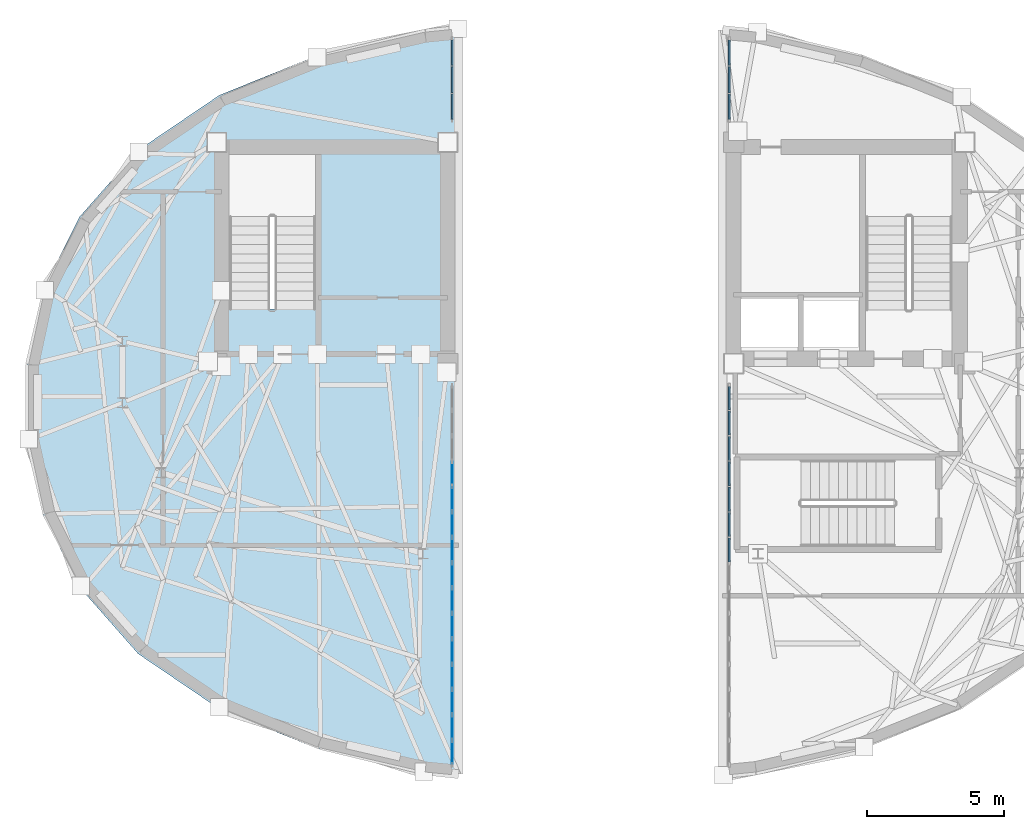
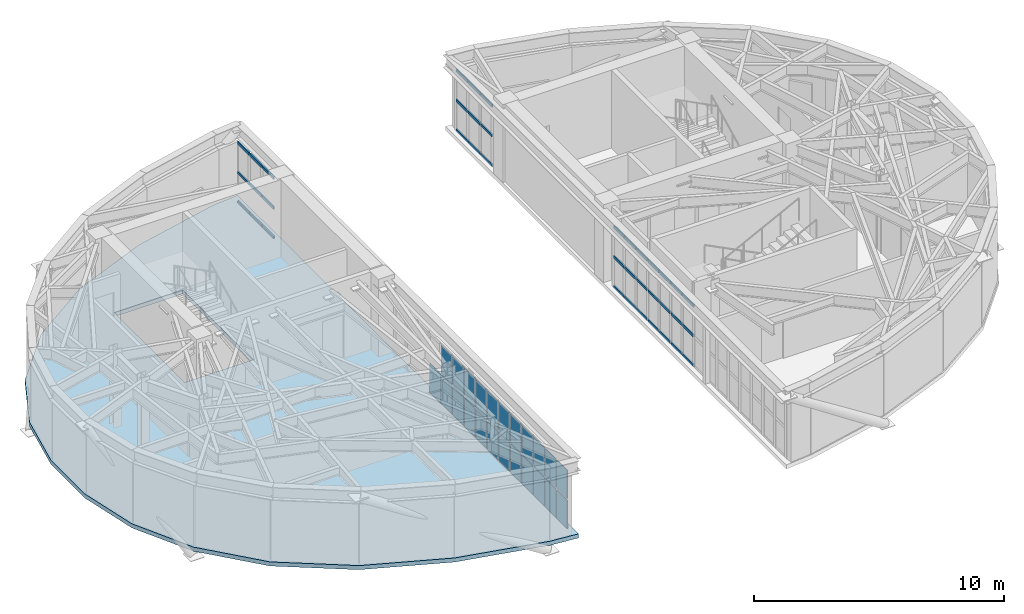
# One storey, part 7 of 13: 39 members, 23 plates, 1 slab, 4 elements without a shape of their own.
"""IFC4 building model written with IfcOpenShell, lengths in metres."""

from ifc_helpers import new_model, si_unit, direction, frame, origin, origin_2d, place, context, subcontext, project, spatial, polyline, rectangle, outline, extrude, material, layer, layer_set, material_profile, profile_set, type_object, element, aggregate, save


model = new_model("IFC4")

# Units and contexts
model_context = context("Model", 3, precision=1e-05, world=origin(), true_north=direction((0.0, 1.0)))
body_context = subcontext(model_context, "Body", "Model", "MODEL_VIEW")
ifc_project = project(units=[si_unit("LENGTHUNIT", "METRE"), si_unit("AREAUNIT", "SQUARE_METRE"), si_unit("VOLUMEUNIT", "CUBIC_METRE"), si_unit("PLANEANGLEUNIT", "RADIAN"), si_unit("MASSUNIT", "GRAM", prefix="KILO")], contexts=[model_context])

# Site, building, storey
site_placement = place(None, origin())
site = spatial("IfcSite", under=ifc_project, at=site_placement, CompositionType="ELEMENT")
building_placement = place(site_placement, origin())
building = spatial("IfcBuilding", under=site, at=building_placement, Name="Keldmark Tower", CompositionType="ELEMENT")
storey_placement = place(building_placement, frame((0.0, 0.0, 276.800048828125)))
storey = spatial("IfcBuildingStorey", under=building, at=storey_placement, Name="L78", CompositionType="ELEMENT", Elevation=276.800048828125)

# Curtain wall, members
ifc_material_1 = material(Name="Unitized Thermally Broken Aluminum and Triple Low-E Glazing", Category="aluminium")
ifc_layer_1 = layer(ifc_material_1, 0.219970703125)
ifc_layer_set_1 = layer_set([ifc_layer_1], Name="Unitized Thermally Broken Aluminum and Triple Low-E Glazing")
curtain_wall_type = type_object("IfcCurtainWallType", Name="Split-Top Crown Lantern Curtain Wall System", PredefinedType="NOTDEFINED", material=ifc_layer_set_1)
curtain_wall_1_placement = place(storey_placement, origin())
curtain_wall_1 = element("IfcCurtainWall", 1, at=curtain_wall_1_placement, inside=storey, type_object=curtain_wall_type, Name="L78 Split-Top Crown Lantern Curtain Wall System CW-L78-ES14-0", PredefinedType="NOTDEFINED")
ifc_material_2 = material(Name="Extruded Aluminum Alloy 6063-T6", Category="aluminium")
ifc_material_profile = material_profile(ifc_material_2, rectangle(XDim=0.06005859375, YDim=0.139892578125, at=origin_2d()), Name="CWT60X140")
ifc_profile_set = profile_set([ifc_material_profile], Name="Extruded Aluminum Alloy 6063-T6")
member_type = type_object("IfcMemberType", Name="Curtain Wall Horizontal Transom 60x140", PredefinedType="USERDEFINED", material=ifc_profile_set)
member_1_placement = place(storey_placement, frame((5.0400390625, 13.15869140625, 0.030029296875), z_axis=(0.0, -1.0, 0.0), x_axis=(1.0, 0.0, 0.0)))
member_1 = element("IfcMember", 2, at=member_1_placement, type_object=member_type, Name="CW transom 1.1", ObjectType="TRANSOM", PredefinedType="USERDEFINED", context=body_context, shape_type="SweptSolid", body=[
    extrude(rectangle(XDim=0.06005859375, YDim=0.139892578125, at=origin_2d()), origin(), (0.0, 0.0, 1.0), 0.90673828125),
])
member_2_placement = place(storey_placement, frame((5.0400390625, 13.15869140625, 1.48291015625), z_axis=(0.0, -1.0, 0.0), x_axis=(1.0, 0.0, 0.0)))
member_2 = element("IfcMember", 3, at=member_2_placement, type_object=member_type, Name="CW transom 1.2", ObjectType="TRANSOM", PredefinedType="USERDEFINED", context=body_context, shape_type="SweptSolid", body=[
    extrude(rectangle(XDim=0.06005859375, YDim=0.139892578125, at=origin_2d()), origin(), (0.0, 0.0, 1.0), 0.90673828125),
])
member_3_placement = place(storey_placement, frame((5.0400390625, 13.15869140625, 2.93603515625), z_axis=(0.0, -1.0, 0.0), x_axis=(1.0, 0.0, 0.0)))
member_3 = element("IfcMember", 4, at=member_3_placement, type_object=member_type, Name="CW transom 1.3", ObjectType="TRANSOM", PredefinedType="USERDEFINED", context=body_context, shape_type="SweptSolid", body=[
    extrude(rectangle(XDim=0.06005859375, YDim=0.139892578125, at=origin_2d()), origin(), (0.0, 0.0, 1.0), 0.90673828125),
])
member_4_placement = place(storey_placement, frame((5.0400390625, 12.19189453125, 0.030029296875), z_axis=(0.0, -1.0, 0.0), x_axis=(1.0, 0.0, 0.0)))
member_4 = element("IfcMember", 5, at=member_4_placement, type_object=member_type, Name="CW transom 2.1", ObjectType="TRANSOM", PredefinedType="USERDEFINED", context=body_context, shape_type="SweptSolid", body=[
    extrude(rectangle(XDim=0.06005859375, YDim=0.139892578125, at=origin_2d()), origin(), (0.0, 0.0, 1.0), 0.936767578125),
])
member_5_placement = place(storey_placement, frame((5.0400390625, 12.19189453125, 1.48291015625), z_axis=(0.0, -1.0, 0.0), x_axis=(1.0, 0.0, 0.0)))
member_5 = element("IfcMember", 6, at=member_5_placement, type_object=member_type, Name="CW transom 2.2", ObjectType="TRANSOM", PredefinedType="USERDEFINED", context=body_context, shape_type="SweptSolid", body=[
    extrude(rectangle(XDim=0.06005859375, YDim=0.139892578125, at=origin_2d()), origin(), (0.0, 0.0, 1.0), 0.936767578125),
])
member_6_placement = place(storey_placement, frame((5.0400390625, 12.19189453125, 2.93603515625), z_axis=(0.0, -1.0, 0.0), x_axis=(1.0, 0.0, 0.0)))
member_6 = element("IfcMember", 7, at=member_6_placement, type_object=member_type, Name="CW transom 2.3", ObjectType="TRANSOM", PredefinedType="USERDEFINED", context=body_context, shape_type="SweptSolid", body=[
    extrude(rectangle(XDim=0.06005859375, YDim=0.139892578125, at=origin_2d()), origin(), (0.0, 0.0, 1.0), 0.936767578125),
])
member_7_placement = place(storey_placement, frame((5.0400390625, 11.1953125, 0.030029296875), z_axis=(0.0, -1.0, 0.0), x_axis=(1.0, 0.0, 0.0)))
member_7 = element("IfcMember", 8, at=member_7_placement, type_object=member_type, Name="CW transom 3.1", ObjectType="TRANSOM", PredefinedType="USERDEFINED", context=body_context, shape_type="SweptSolid", body=[
    extrude(rectangle(XDim=0.06005859375, YDim=0.139892578125, at=origin_2d()), origin(), (0.0, 0.0, 1.0), 0.90673828125),
])
member_8_placement = place(storey_placement, frame((5.0400390625, 11.1953125, 1.48291015625), z_axis=(0.0, -1.0, 0.0), x_axis=(1.0, 0.0, 0.0)))
member_8 = element("IfcMember", 9, at=member_8_placement, type_object=member_type, Name="CW transom 3.2", ObjectType="TRANSOM", PredefinedType="USERDEFINED", context=body_context, shape_type="SweptSolid", body=[
    extrude(rectangle(XDim=0.06005859375, YDim=0.139892578125, at=origin_2d()), origin(), (0.0, 0.0, 1.0), 0.90673828125),
])
member_9_placement = place(storey_placement, frame((5.0400390625, 11.1953125, 2.93603515625), z_axis=(0.0, -1.0, 0.0), x_axis=(1.0, 0.0, 0.0)))
member_9 = element("IfcMember", 10, at=member_9_placement, type_object=member_type, Name="CW transom 3.3", ObjectType="TRANSOM", PredefinedType="USERDEFINED", context=body_context, shape_type="SweptSolid", body=[
    extrude(rectangle(XDim=0.06005859375, YDim=0.139892578125, at=origin_2d()), origin(), (0.0, 0.0, 1.0), 0.90673828125),
])
aggregate(curtain_wall_1, [member_1, member_2, member_3, member_4, member_5, member_6, member_7, member_8, member_9])

curtain_wall_2_placement = place(storey_placement, origin())
curtain_wall_2 = element("IfcCurtainWall", 11, at=curtain_wall_2_placement, inside=storey, type_object=curtain_wall_type, Name="L78 Split-Top Crown Lantern Curtain Wall System CW-L78-ES14-1", PredefinedType="NOTDEFINED")
member_10_placement = place(storey_placement, frame((5.0400390625, 0.5615234375, 0.030029296875), z_axis=(0.0, -1.0, 0.0), x_axis=(1.0, 0.0, 0.0)))
member_10 = element("IfcMember", 12, at=member_10_placement, type_object=member_type, Name="CW transom 1.1", ObjectType="TRANSOM", PredefinedType="USERDEFINED", context=body_context, shape_type="SweptSolid", body=[
    extrude(rectangle(XDim=0.06005859375, YDim=0.139892578125, at=origin_2d()), origin(), (0.0, 0.0, 1.0), 0.832763671875),
])
member_11_placement = place(storey_placement, frame((5.0400390625, 0.5615234375, 1.48291015625), z_axis=(0.0, -1.0, 0.0), x_axis=(1.0, 0.0, 0.0)))
member_11 = element("IfcMember", 13, at=member_11_placement, type_object=member_type, Name="CW transom 1.2", ObjectType="TRANSOM", PredefinedType="USERDEFINED", context=body_context, shape_type="SweptSolid", body=[
    extrude(rectangle(XDim=0.06005859375, YDim=0.139892578125, at=origin_2d()), origin(), (0.0, 0.0, 1.0), 0.832763671875),
])
member_12_placement = place(storey_placement, frame((5.0400390625, 0.5615234375, 2.93603515625), z_axis=(0.0, -1.0, 0.0), x_axis=(1.0, 0.0, 0.0)))
member_12 = element("IfcMember", 14, at=member_12_placement, type_object=member_type, Name="CW transom 1.3", ObjectType="TRANSOM", PredefinedType="USERDEFINED", context=body_context, shape_type="SweptSolid", body=[
    extrude(rectangle(XDim=0.06005859375, YDim=0.139892578125, at=origin_2d()), origin(), (0.0, 0.0, 1.0), 0.832763671875),
])
member_13_placement = place(storey_placement, frame((5.0400390625, -0.331298828125, 0.030029296875), z_axis=(0.0, -1.0, 0.0), x_axis=(1.0, 0.0, 0.0)))
member_13 = element("IfcMember", 15, at=member_13_placement, type_object=member_type, Name="CW transom 2.1", ObjectType="TRANSOM", PredefinedType="USERDEFINED", context=body_context, shape_type="SweptSolid", body=[
    extrude(rectangle(XDim=0.06005859375, YDim=0.139892578125, at=origin_2d()), origin(), (0.0, 0.0, 1.0), 0.862548828125),
])
member_14_placement = place(storey_placement, frame((5.0400390625, -0.331298828125, 1.48291015625), z_axis=(0.0, -1.0, 0.0), x_axis=(1.0, 0.0, 0.0)))
member_14 = element("IfcMember", 16, at=member_14_placement, type_object=member_type, Name="CW transom 2.2", ObjectType="TRANSOM", PredefinedType="USERDEFINED", context=body_context, shape_type="SweptSolid", body=[
    extrude(rectangle(XDim=0.06005859375, YDim=0.139892578125, at=origin_2d()), origin(), (0.0, 0.0, 1.0), 0.862548828125),
])
member_15_placement = place(storey_placement, frame((5.0400390625, -0.331298828125, 2.93603515625), z_axis=(0.0, -1.0, 0.0), x_axis=(1.0, 0.0, 0.0)))
member_15 = element("IfcMember", 17, at=member_15_placement, type_object=member_type, Name="CW transom 2.3", ObjectType="TRANSOM", PredefinedType="USERDEFINED", context=body_context, shape_type="SweptSolid", body=[
    extrude(rectangle(XDim=0.06005859375, YDim=0.139892578125, at=origin_2d()), origin(), (0.0, 0.0, 1.0), 0.862548828125),
])
member_16_placement = place(storey_placement, frame((5.0400390625, -1.25390625, 0.030029296875), z_axis=(0.0, -1.0, 0.0), x_axis=(1.0, 0.0, 0.0)))
member_16 = element("IfcMember", 18, at=member_16_placement, type_object=member_type, Name="CW transom 3.1", ObjectType="TRANSOM", PredefinedType="USERDEFINED", context=body_context, shape_type="SweptSolid", body=[
    extrude(rectangle(XDim=0.06005859375, YDim=0.139892578125, at=origin_2d()), origin(), (0.0, 0.0, 1.0), 0.862548828125),
])
member_17_placement = place(storey_placement, frame((5.0400390625, -1.25390625, 1.48291015625), z_axis=(0.0, -1.0, 0.0), x_axis=(1.0, 0.0, 0.0)))
member_17 = element("IfcMember", 19, at=member_17_placement, type_object=member_type, Name="CW transom 3.2", ObjectType="TRANSOM", PredefinedType="USERDEFINED", context=body_context, shape_type="SweptSolid", body=[
    extrude(rectangle(XDim=0.06005859375, YDim=0.139892578125, at=origin_2d()), origin(), (0.0, 0.0, 1.0), 0.862548828125),
])
member_18_placement = place(storey_placement, frame((5.0400390625, -1.25390625, 2.93603515625), z_axis=(0.0, -1.0, 0.0), x_axis=(1.0, 0.0, 0.0)))
member_18 = element("IfcMember", 20, at=member_18_placement, type_object=member_type, Name="CW transom 3.3", ObjectType="TRANSOM", PredefinedType="USERDEFINED", context=body_context, shape_type="SweptSolid", body=[
    extrude(rectangle(XDim=0.06005859375, YDim=0.139892578125, at=origin_2d()), origin(), (0.0, 0.0, 1.0), 0.862548828125),
])
member_19_placement = place(storey_placement, frame((5.0400390625, -2.176513671875, 0.030029296875), z_axis=(0.0, -1.0, 0.0), x_axis=(1.0, 0.0, 0.0)))
member_19 = element("IfcMember", 21, at=member_19_placement, type_object=member_type, Name="CW transom 4.1", ObjectType="TRANSOM", PredefinedType="USERDEFINED", context=body_context, shape_type="SweptSolid", body=[
    extrude(rectangle(XDim=0.06005859375, YDim=0.139892578125, at=origin_2d()), origin(), (0.0, 0.0, 1.0), 0.86279296875),
])
member_20_placement = place(storey_placement, frame((5.0400390625, -2.176513671875, 1.48291015625), z_axis=(0.0, -1.0, 0.0), x_axis=(1.0, 0.0, 0.0)))
member_20 = element("IfcMember", 22, at=member_20_placement, type_object=member_type, Name="CW transom 4.2", ObjectType="TRANSOM", PredefinedType="USERDEFINED", context=body_context, shape_type="SweptSolid", body=[
    extrude(rectangle(XDim=0.06005859375, YDim=0.139892578125, at=origin_2d()), origin(), (0.0, 0.0, 1.0), 0.86279296875),
])
member_21_placement = place(storey_placement, frame((5.0400390625, -2.176513671875, 2.93603515625), z_axis=(0.0, -1.0, 0.0), x_axis=(1.0, 0.0, 0.0)))
member_21 = element("IfcMember", 23, at=member_21_placement, type_object=member_type, Name="CW transom 4.3", ObjectType="TRANSOM", PredefinedType="USERDEFINED", context=body_context, shape_type="SweptSolid", body=[
    extrude(rectangle(XDim=0.06005859375, YDim=0.139892578125, at=origin_2d()), origin(), (0.0, 0.0, 1.0), 0.86279296875),
])
member_22_placement = place(storey_placement, frame((5.0400390625, -3.09912109375, 0.030029296875), z_axis=(0.0, -1.0, 0.0), x_axis=(1.0, 0.0, 0.0)))
member_22 = element("IfcMember", 24, at=member_22_placement, type_object=member_type, Name="CW transom 5.1", ObjectType="TRANSOM", PredefinedType="USERDEFINED", context=body_context, shape_type="SweptSolid", body=[
    extrude(rectangle(XDim=0.06005859375, YDim=0.139892578125, at=origin_2d()), origin(), (0.0, 0.0, 1.0), 0.86279296875),
])
member_23_placement = place(storey_placement, frame((5.0400390625, -3.09912109375, 1.48291015625), z_axis=(0.0, -1.0, 0.0), x_axis=(1.0, 0.0, 0.0)))
member_23 = element("IfcMember", 25, at=member_23_placement, type_object=member_type, Name="CW transom 5.2", ObjectType="TRANSOM", PredefinedType="USERDEFINED", context=body_context, shape_type="SweptSolid", body=[
    extrude(rectangle(XDim=0.06005859375, YDim=0.139892578125, at=origin_2d()), origin(), (0.0, 0.0, 1.0), 0.86279296875),
])
member_24_placement = place(storey_placement, frame((5.0400390625, -3.09912109375, 2.93603515625), z_axis=(0.0, -1.0, 0.0), x_axis=(1.0, 0.0, 0.0)))
member_24 = element("IfcMember", 26, at=member_24_placement, type_object=member_type, Name="CW transom 5.3", ObjectType="TRANSOM", PredefinedType="USERDEFINED", context=body_context, shape_type="SweptSolid", body=[
    extrude(rectangle(XDim=0.06005859375, YDim=0.139892578125, at=origin_2d()), origin(), (0.0, 0.0, 1.0), 0.86279296875),
])
member_25_placement = place(storey_placement, frame((5.0400390625, -4.02197265625, 0.030029296875), z_axis=(0.0, -1.0, 0.0), x_axis=(1.0, 0.0, 0.0)))
member_25 = element("IfcMember", 27, at=member_25_placement, type_object=member_type, Name="CW transom 6.1", ObjectType="TRANSOM", PredefinedType="USERDEFINED", context=body_context, shape_type="SweptSolid", body=[
    extrude(rectangle(XDim=0.06005859375, YDim=0.139892578125, at=origin_2d()), origin(), (0.0, 0.0, 1.0), 0.862548828125),
])
member_26_placement = place(storey_placement, frame((5.0400390625, -4.02197265625, 1.48291015625), z_axis=(0.0, -1.0, 0.0), x_axis=(1.0, 0.0, 0.0)))
member_26 = element("IfcMember", 28, at=member_26_placement, type_object=member_type, Name="CW transom 6.2", ObjectType="TRANSOM", PredefinedType="USERDEFINED", context=body_context, shape_type="SweptSolid", body=[
    extrude(rectangle(XDim=0.06005859375, YDim=0.139892578125, at=origin_2d()), origin(), (0.0, 0.0, 1.0), 0.862548828125),
])
member_27_placement = place(storey_placement, frame((5.0400390625, -4.02197265625, 2.93603515625), z_axis=(0.0, -1.0, 0.0), x_axis=(1.0, 0.0, 0.0)))
member_27 = element("IfcMember", 29, at=member_27_placement, type_object=member_type, Name="CW transom 6.3", ObjectType="TRANSOM", PredefinedType="USERDEFINED", context=body_context, shape_type="SweptSolid", body=[
    extrude(rectangle(XDim=0.06005859375, YDim=0.139892578125, at=origin_2d()), origin(), (0.0, 0.0, 1.0), 0.862548828125),
])
member_28_placement = place(storey_placement, frame((5.0400390625, -4.944580078125, 0.030029296875), z_axis=(0.0, -1.0, 0.0), x_axis=(1.0, 0.0, 0.0)))
member_28 = element("IfcMember", 30, at=member_28_placement, type_object=member_type, Name="CW transom 7.1", ObjectType="TRANSOM", PredefinedType="USERDEFINED", context=body_context, shape_type="SweptSolid", body=[
    extrude(rectangle(XDim=0.06005859375, YDim=0.139892578125, at=origin_2d()), origin(), (0.0, 0.0, 1.0), 0.86279296875),
])
member_29_placement = place(storey_placement, frame((5.0400390625, -4.944580078125, 1.48291015625), z_axis=(0.0, -1.0, 0.0), x_axis=(1.0, 0.0, 0.0)))
member_29 = element("IfcMember", 31, at=member_29_placement, type_object=member_type, Name="CW transom 7.2", ObjectType="TRANSOM", PredefinedType="USERDEFINED", context=body_context, shape_type="SweptSolid", body=[
    extrude(rectangle(XDim=0.06005859375, YDim=0.139892578125, at=origin_2d()), origin(), (0.0, 0.0, 1.0), 0.86279296875),
])
member_30_placement = place(storey_placement, frame((5.0400390625, -4.944580078125, 2.93603515625), z_axis=(0.0, -1.0, 0.0), x_axis=(1.0, 0.0, 0.0)))
member_30 = element("IfcMember", 32, at=member_30_placement, type_object=member_type, Name="CW transom 7.3", ObjectType="TRANSOM", PredefinedType="USERDEFINED", context=body_context, shape_type="SweptSolid", body=[
    extrude(rectangle(XDim=0.06005859375, YDim=0.139892578125, at=origin_2d()), origin(), (0.0, 0.0, 1.0), 0.86279296875),
])
aggregate(curtain_wall_2, [member_10, member_11, member_12, member_13, member_14, member_15, member_16, member_17, member_18, member_19, member_20, member_21, member_22, member_23, member_24, member_25, member_26, member_27, member_28, member_29, member_30])

curtain_wall_3_placement = place(storey_placement, origin())
curtain_wall_3 = element("IfcCurtainWall", 33, at=curtain_wall_3_placement, inside=storey, type_object=curtain_wall_type, Name="L78 Split-Top Crown Lantern Curtain Wall System CW-L78-WS14-1", PredefinedType="NOTDEFINED")
member_31_placement = place(storey_placement, frame((-5.0400390625, 10.28857421875, 0.030029296875), z_axis=(0.0, 1.0, 0.0), x_axis=(-1.0, 0.0, 0.0)))
member_31 = element("IfcMember", 34, at=member_31_placement, type_object=member_type, Name="CW transom 1.1", ObjectType="TRANSOM", PredefinedType="USERDEFINED", context=body_context, shape_type="SweptSolid", body=[
    extrude(rectangle(XDim=0.06005859375, YDim=0.139892578125, at=origin_2d()), origin(), (0.0, 0.0, 1.0), 0.90673828125),
])
member_32_placement = place(storey_placement, frame((-5.0400390625, 10.28857421875, 1.48291015625), z_axis=(0.0, 1.0, 0.0), x_axis=(-1.0, 0.0, 0.0)))
member_32 = element("IfcMember", 35, at=member_32_placement, type_object=member_type, Name="CW transom 1.2", ObjectType="TRANSOM", PredefinedType="USERDEFINED", context=body_context, shape_type="SweptSolid", body=[
    extrude(rectangle(XDim=0.06005859375, YDim=0.139892578125, at=origin_2d()), origin(), (0.0, 0.0, 1.0), 0.90673828125),
])
member_33_placement = place(storey_placement, frame((-5.0400390625, 10.28857421875, 2.93603515625), z_axis=(0.0, 1.0, 0.0), x_axis=(-1.0, 0.0, 0.0)))
member_33 = element("IfcMember", 36, at=member_33_placement, type_object=member_type, Name="CW transom 1.3", ObjectType="TRANSOM", PredefinedType="USERDEFINED", context=body_context, shape_type="SweptSolid", body=[
    extrude(rectangle(XDim=0.06005859375, YDim=0.139892578125, at=origin_2d()), origin(), (0.0, 0.0, 1.0), 0.90673828125),
])
member_34_placement = place(storey_placement, frame((-5.0400390625, 11.255126953125, 0.030029296875), z_axis=(0.0, 1.0, 0.0), x_axis=(-1.0, 0.0, 0.0)))
member_34 = element("IfcMember", 37, at=member_34_placement, type_object=member_type, Name="CW transom 2.1", ObjectType="TRANSOM", PredefinedType="USERDEFINED", context=body_context, shape_type="SweptSolid", body=[
    extrude(rectangle(XDim=0.06005859375, YDim=0.139892578125, at=origin_2d()), origin(), (0.0, 0.0, 1.0), 0.936767578125),
])
member_35_placement = place(storey_placement, frame((-5.0400390625, 11.255126953125, 1.48291015625), z_axis=(0.0, 1.0, 0.0), x_axis=(-1.0, 0.0, 0.0)))
member_35 = element("IfcMember", 38, at=member_35_placement, type_object=member_type, Name="CW transom 2.2", ObjectType="TRANSOM", PredefinedType="USERDEFINED", context=body_context, shape_type="SweptSolid", body=[
    extrude(rectangle(XDim=0.06005859375, YDim=0.139892578125, at=origin_2d()), origin(), (0.0, 0.0, 1.0), 0.936767578125),
])
member_36_placement = place(storey_placement, frame((-5.0400390625, 11.255126953125, 2.93603515625), z_axis=(0.0, 1.0, 0.0), x_axis=(-1.0, 0.0, 0.0)))
member_36 = element("IfcMember", 39, at=member_36_placement, type_object=member_type, Name="CW transom 2.3", ObjectType="TRANSOM", PredefinedType="USERDEFINED", context=body_context, shape_type="SweptSolid", body=[
    extrude(rectangle(XDim=0.06005859375, YDim=0.139892578125, at=origin_2d()), origin(), (0.0, 0.0, 1.0), 0.936767578125),
])
member_37_placement = place(storey_placement, frame((-5.0400390625, 12.251953125, 0.030029296875), z_axis=(0.0, 1.0, 0.0), x_axis=(-1.0, 0.0, 0.0)))
member_37 = element("IfcMember", 40, at=member_37_placement, type_object=member_type, Name="CW transom 3.1", ObjectType="TRANSOM", PredefinedType="USERDEFINED", context=body_context, shape_type="SweptSolid", body=[
    extrude(rectangle(XDim=0.06005859375, YDim=0.139892578125, at=origin_2d()), origin(), (0.0, 0.0, 1.0), 0.90673828125),
])
member_38_placement = place(storey_placement, frame((-5.0400390625, 12.251953125, 1.48291015625), z_axis=(0.0, 1.0, 0.0), x_axis=(-1.0, 0.0, 0.0)))
member_38 = element("IfcMember", 41, at=member_38_placement, type_object=member_type, Name="CW transom 3.2", ObjectType="TRANSOM", PredefinedType="USERDEFINED", context=body_context, shape_type="SweptSolid", body=[
    extrude(rectangle(XDim=0.06005859375, YDim=0.139892578125, at=origin_2d()), origin(), (0.0, 0.0, 1.0), 0.90673828125),
])
member_39_placement = place(storey_placement, frame((-5.0400390625, 12.251953125, 2.93603515625), z_axis=(0.0, 1.0, 0.0), x_axis=(-1.0, 0.0, 0.0)))
member_39 = element("IfcMember", 42, at=member_39_placement, type_object=member_type, Name="CW transom 3.3", ObjectType="TRANSOM", PredefinedType="USERDEFINED", context=body_context, shape_type="SweptSolid", body=[
    extrude(rectangle(XDim=0.06005859375, YDim=0.139892578125, at=origin_2d()), origin(), (0.0, 0.0, 1.0), 0.90673828125),
])
aggregate(curtain_wall_3, [member_31, member_32, member_33, member_34, member_35, member_36, member_37, member_38, member_39])

# Slab
ifc_material_3 = material(Name="Concrete C35/45", Category="concrete")
ifc_layer_2 = layer(ifc_material_3, 0.199951171875)
ifc_layer_set_2 = layer_set([ifc_layer_2], Name="Concrete C35/45")
slab_type = type_object("IfcSlabType", Name="Low-Rise Office Composite Slab 200 mm", PredefinedType="FLOOR", material=ifc_layer_set_2)
slab_placement = place(storey_placement, frame((0.0, 0.0, -0.199951171875)))
element("IfcSlab", 43, at=slab_placement, inside=storey, type_object=slab_type, Name="L78 West Crown Plant Floor Slab", PredefinedType="FLOOR", context=body_context, shape_type="SweptSolid", body=[
    extrude(outline(polyline([(-6.03759765625, -13.501220703125), (-9.931396484375, -12.603759765625), (-13.498779296875, -11.15771484375), (-16.448486328125, -9.156982421875), (-18.580078125, -6.73681640625), (-19.9033203125, -4.095703125), (-20.489013671875, -1.368896484375), (-20.489013671875, 1.368896484375), (-19.9033203125, 4.095703125), (-18.580078125, 6.73681640625), (-16.448486328125, 9.156982421875), (-13.498779296875, 11.15771484375), (-9.931396484375, 12.603759765625), (-6.03759765625, 13.501220703125), (-4.800048828125, 13.62353515625), (-4.800048828125, -13.62353515625), (-6.03759765625, -13.501220703125)]), holes=[polyline([(-10.0, 3.385009765625), (-10.0, 9.0), (-13.14990234375, 9.0), (-13.14990234375, 3.385009765625), (-10.0, 3.385009765625)])]), origin(), (0.0, 0.0, 1.0), 0.199951171875),
])

# Curtain wall, plates
curtain_wall_4_placement = place(storey_placement, origin())
curtain_wall_4 = element("IfcCurtainWall", 44, at=curtain_wall_4_placement, inside=storey, type_object=curtain_wall_type, Name="L78 Split-Top Crown Lantern Curtain Wall System CW-L78-WS14-0", PredefinedType="NOTDEFINED")
ifc_material_4 = material(Name="Triple Silver Low-E Insulated Glass Unit", Category="glass")
ifc_layer_3 = layer(ifc_material_4, 0.035888671875)
ifc_layer_set_3 = layer_set([ifc_layer_3], Name="Triple Silver Low-E Insulated Glass Unit")
plate_type = type_object("IfcPlateType", Name="Triple Low-E Vision Glazing Panel 36 mm", PredefinedType="CURTAIN_PANEL", material=ifc_layer_set_3)
plate_1_placement = place(storey_placement, frame((-5.0400390625, -12.742431640625, 0.059814453125), z_axis=(0.0, 0.0, 1.0), x_axis=(0.0, 1.0, 0.0)))
plate_1 = element("IfcPlate", 45, at=plate_1_placement, type_object=plate_type, Name="CW panel 1.1", PredefinedType="CURTAIN_PANEL", context=body_context, shape_type="SweptSolid", body=[
    extrude(rectangle(XDim=0.832763671875, YDim=0.035888671875, at=origin_2d()), origin(), (0.0, 0.0, 1.0), 1.39306640625),
])
plate_2_placement = place(storey_placement, frame((-5.0400390625, -12.742431640625, 1.512939453125), z_axis=(0.0, 0.0, 1.0), x_axis=(0.0, 1.0, 0.0)))
plate_2 = element("IfcPlate", 46, at=plate_2_placement, type_object=plate_type, Name="CW panel 1.2", PredefinedType="CURTAIN_PANEL", context=body_context, shape_type="SweptSolid", body=[
    extrude(rectangle(XDim=0.832763671875, YDim=0.035888671875, at=origin_2d()), origin(), (0.0, 0.0, 1.0), 1.39306640625),
])
plate_3_placement = place(storey_placement, frame((-5.0400390625, -11.834716796875, 0.059814453125), z_axis=(0.0, 0.0, 1.0), x_axis=(0.0, 1.0, 0.0)))
plate_3 = element("IfcPlate", 47, at=plate_3_placement, type_object=plate_type, Name="CW panel 2.1", PredefinedType="CURTAIN_PANEL", context=body_context, shape_type="SweptSolid", body=[
    extrude(rectangle(XDim=0.86279296875, YDim=0.035888671875, at=origin_2d()), origin(), (0.0, 0.0, 1.0), 1.39306640625),
])
plate_4_placement = place(storey_placement, frame((-5.0400390625, -11.834716796875, 1.512939453125), z_axis=(0.0, 0.0, 1.0), x_axis=(0.0, 1.0, 0.0)))
plate_4 = element("IfcPlate", 48, at=plate_4_placement, type_object=plate_type, Name="CW panel 2.2", PredefinedType="CURTAIN_PANEL", context=body_context, shape_type="SweptSolid", body=[
    extrude(rectangle(XDim=0.86279296875, YDim=0.035888671875, at=origin_2d()), origin(), (0.0, 0.0, 1.0), 1.39306640625),
])
plate_5_placement = place(storey_placement, frame((-5.0400390625, -10.912109375, 0.059814453125), z_axis=(0.0, 0.0, 1.0), x_axis=(0.0, 1.0, 0.0)))
plate_5 = element("IfcPlate", 49, at=plate_5_placement, type_object=plate_type, Name="CW panel 3.1", PredefinedType="CURTAIN_PANEL", context=body_context, shape_type="SweptSolid", body=[
    extrude(rectangle(XDim=0.86279296875, YDim=0.035888671875, at=origin_2d()), origin(), (0.0, 0.0, 1.0), 1.39306640625),
])
plate_6_placement = place(storey_placement, frame((-5.0400390625, -10.912109375, 1.512939453125), z_axis=(0.0, 0.0, 1.0), x_axis=(0.0, 1.0, 0.0)))
plate_6 = element("IfcPlate", 50, at=plate_6_placement, type_object=plate_type, Name="CW panel 3.2", PredefinedType="CURTAIN_PANEL", context=body_context, shape_type="SweptSolid", body=[
    extrude(rectangle(XDim=0.86279296875, YDim=0.035888671875, at=origin_2d()), origin(), (0.0, 0.0, 1.0), 1.39306640625),
])
plate_7_placement = place(storey_placement, frame((-5.0400390625, -9.9892578125, 0.059814453125), z_axis=(0.0, 0.0, 1.0), x_axis=(0.0, 1.0, 0.0)))
plate_7 = element("IfcPlate", 51, at=plate_7_placement, type_object=plate_type, Name="CW panel 4.1", PredefinedType="CURTAIN_PANEL", context=body_context, shape_type="SweptSolid", body=[
    extrude(rectangle(XDim=0.86279296875, YDim=0.035888671875, at=origin_2d()), origin(), (0.0, 0.0, 1.0), 1.39306640625),
])
plate_8_placement = place(storey_placement, frame((-5.0400390625, -9.9892578125, 1.512939453125), z_axis=(0.0, 0.0, 1.0), x_axis=(0.0, 1.0, 0.0)))
plate_8 = element("IfcPlate", 52, at=plate_8_placement, type_object=plate_type, Name="CW panel 4.2", PredefinedType="CURTAIN_PANEL", context=body_context, shape_type="SweptSolid", body=[
    extrude(rectangle(XDim=0.86279296875, YDim=0.035888671875, at=origin_2d()), origin(), (0.0, 0.0, 1.0), 1.39306640625),
])
plate_9_placement = place(storey_placement, frame((-5.0400390625, -9.066650390625, 0.059814453125), z_axis=(0.0, 0.0, 1.0), x_axis=(0.0, 1.0, 0.0)))
plate_9 = element("IfcPlate", 53, at=plate_9_placement, type_object=plate_type, Name="CW panel 5.1", PredefinedType="CURTAIN_PANEL", context=body_context, shape_type="SweptSolid", body=[
    extrude(rectangle(XDim=0.86279296875, YDim=0.035888671875, at=origin_2d()), origin(), (0.0, 0.0, 1.0), 1.39306640625),
])
plate_10_placement = place(storey_placement, frame((-5.0400390625, -9.066650390625, 1.512939453125), z_axis=(0.0, 0.0, 1.0), x_axis=(0.0, 1.0, 0.0)))
plate_10 = element("IfcPlate", 54, at=plate_10_placement, type_object=plate_type, Name="CW panel 5.2", PredefinedType="CURTAIN_PANEL", context=body_context, shape_type="SweptSolid", body=[
    extrude(rectangle(XDim=0.86279296875, YDim=0.035888671875, at=origin_2d()), origin(), (0.0, 0.0, 1.0), 1.39306640625),
])
plate_11_placement = place(storey_placement, frame((-5.0400390625, -8.14404296875, 0.059814453125), z_axis=(0.0, 0.0, 1.0), x_axis=(0.0, 1.0, 0.0)))
plate_11 = element("IfcPlate", 55, at=plate_11_placement, type_object=plate_type, Name="CW panel 6.1", PredefinedType="CURTAIN_PANEL", context=body_context, shape_type="SweptSolid", body=[
    extrude(rectangle(XDim=0.86279296875, YDim=0.035888671875, at=origin_2d()), origin(), (0.0, 0.0, 1.0), 1.39306640625),
])
plate_12_placement = place(storey_placement, frame((-5.0400390625, -8.14404296875, 1.512939453125), z_axis=(0.0, 0.0, 1.0), x_axis=(0.0, 1.0, 0.0)))
plate_12 = element("IfcPlate", 56, at=plate_12_placement, type_object=plate_type, Name="CW panel 6.2", PredefinedType="CURTAIN_PANEL", context=body_context, shape_type="SweptSolid", body=[
    extrude(rectangle(XDim=0.86279296875, YDim=0.035888671875, at=origin_2d()), origin(), (0.0, 0.0, 1.0), 1.39306640625),
])
plate_13_placement = place(storey_placement, frame((-5.0400390625, -7.22119140625, 0.059814453125), z_axis=(0.0, 0.0, 1.0), x_axis=(0.0, 1.0, 0.0)))
plate_13 = element("IfcPlate", 57, at=plate_13_placement, type_object=plate_type, Name="CW panel 7.1", PredefinedType="CURTAIN_PANEL", context=body_context, shape_type="SweptSolid", body=[
    extrude(rectangle(XDim=0.86279296875, YDim=0.035888671875, at=origin_2d()), origin(), (0.0, 0.0, 1.0), 1.39306640625),
])
plate_14_placement = place(storey_placement, frame((-5.0400390625, -7.22119140625, 1.512939453125), z_axis=(0.0, 0.0, 1.0), x_axis=(0.0, 1.0, 0.0)))
plate_14 = element("IfcPlate", 58, at=plate_14_placement, type_object=plate_type, Name="CW panel 7.2", PredefinedType="CURTAIN_PANEL", context=body_context, shape_type="SweptSolid", body=[
    extrude(rectangle(XDim=0.86279296875, YDim=0.035888671875, at=origin_2d()), origin(), (0.0, 0.0, 1.0), 1.39306640625),
])
plate_15_placement = place(storey_placement, frame((-5.0400390625, -6.298583984375, 0.059814453125), z_axis=(0.0, 0.0, 1.0), x_axis=(0.0, 1.0, 0.0)))
plate_15 = element("IfcPlate", 59, at=plate_15_placement, type_object=plate_type, Name="CW panel 8.1", PredefinedType="CURTAIN_PANEL", context=body_context, shape_type="SweptSolid", body=[
    extrude(rectangle(XDim=0.86279296875, YDim=0.035888671875, at=origin_2d()), origin(), (0.0, 0.0, 1.0), 1.39306640625),
])
plate_16_placement = place(storey_placement, frame((-5.0400390625, -6.298583984375, 1.512939453125), z_axis=(0.0, 0.0, 1.0), x_axis=(0.0, 1.0, 0.0)))
plate_16 = element("IfcPlate", 60, at=plate_16_placement, type_object=plate_type, Name="CW panel 8.2", PredefinedType="CURTAIN_PANEL", context=body_context, shape_type="SweptSolid", body=[
    extrude(rectangle(XDim=0.86279296875, YDim=0.035888671875, at=origin_2d()), origin(), (0.0, 0.0, 1.0), 1.39306640625),
])
plate_17_placement = place(storey_placement, frame((-5.0400390625, -5.3759765625, 0.059814453125), z_axis=(0.0, 0.0, 1.0), x_axis=(0.0, 1.0, 0.0)))
plate_17 = element("IfcPlate", 61, at=plate_17_placement, type_object=plate_type, Name="CW panel 9.1", PredefinedType="CURTAIN_PANEL", context=body_context, shape_type="SweptSolid", body=[
    extrude(rectangle(XDim=0.86279296875, YDim=0.035888671875, at=origin_2d()), origin(), (0.0, 0.0, 1.0), 1.39306640625),
])
plate_18_placement = place(storey_placement, frame((-5.0400390625, -5.3759765625, 1.512939453125), z_axis=(0.0, 0.0, 1.0), x_axis=(0.0, 1.0, 0.0)))
plate_18 = element("IfcPlate", 62, at=plate_18_placement, type_object=plate_type, Name="CW panel 9.2", PredefinedType="CURTAIN_PANEL", context=body_context, shape_type="SweptSolid", body=[
    extrude(rectangle(XDim=0.86279296875, YDim=0.035888671875, at=origin_2d()), origin(), (0.0, 0.0, 1.0), 1.39306640625),
])
plate_19_placement = place(storey_placement, frame((-5.0400390625, -4.453125, 0.059814453125), z_axis=(0.0, 0.0, 1.0), x_axis=(0.0, 1.0, 0.0)))
plate_19 = element("IfcPlate", 63, at=plate_19_placement, type_object=plate_type, Name="CW panel 10.1", PredefinedType="CURTAIN_PANEL", context=body_context, shape_type="SweptSolid", body=[
    extrude(rectangle(XDim=0.86279296875, YDim=0.035888671875, at=origin_2d()), origin(), (0.0, 0.0, 1.0), 1.39306640625),
])
plate_20_placement = place(storey_placement, frame((-5.0400390625, -4.453125, 1.512939453125), z_axis=(0.0, 0.0, 1.0), x_axis=(0.0, 1.0, 0.0)))
plate_20 = element("IfcPlate", 64, at=plate_20_placement, type_object=plate_type, Name="CW panel 10.2", PredefinedType="CURTAIN_PANEL", context=body_context, shape_type="SweptSolid", body=[
    extrude(rectangle(XDim=0.86279296875, YDim=0.035888671875, at=origin_2d()), origin(), (0.0, 0.0, 1.0), 1.39306640625),
])
plate_21_placement = place(storey_placement, frame((-5.0400390625, -3.530517578125, 0.059814453125), z_axis=(0.0, 0.0, 1.0), x_axis=(0.0, 1.0, 0.0)))
plate_21 = element("IfcPlate", 65, at=plate_21_placement, type_object=plate_type, Name="CW panel 11.1", PredefinedType="CURTAIN_PANEL", context=body_context, shape_type="SweptSolid", body=[
    extrude(rectangle(XDim=0.86279296875, YDim=0.035888671875, at=origin_2d()), origin(), (0.0, 0.0, 1.0), 1.39306640625),
])
plate_22_placement = place(storey_placement, frame((-5.0400390625, -3.530517578125, 1.512939453125), z_axis=(0.0, 0.0, 1.0), x_axis=(0.0, 1.0, 0.0)))
plate_22 = element("IfcPlate", 66, at=plate_22_placement, type_object=plate_type, Name="CW panel 11.2", PredefinedType="CURTAIN_PANEL", context=body_context, shape_type="SweptSolid", body=[
    extrude(rectangle(XDim=0.86279296875, YDim=0.035888671875, at=origin_2d()), origin(), (0.0, 0.0, 1.0), 1.39306640625),
])
plate_23_placement = place(storey_placement, frame((-5.0400390625, -2.60791015625, 0.059814453125), z_axis=(0.0, 0.0, 1.0), x_axis=(0.0, 1.0, 0.0)))
plate_23 = element("IfcPlate", 67, at=plate_23_placement, type_object=plate_type, Name="CW panel 12.1", PredefinedType="CURTAIN_PANEL", context=body_context, shape_type="SweptSolid", body=[
    extrude(rectangle(XDim=0.86279296875, YDim=0.035888671875, at=origin_2d()), origin(), (0.0, 0.0, 1.0), 1.39306640625),
])
aggregate(curtain_wall_4, [plate_1, plate_2, plate_3, plate_4, plate_5, plate_6, plate_7, plate_8, plate_9, plate_10, plate_11, plate_12, plate_13, plate_14, plate_15, plate_16, plate_17, plate_18, plate_19, plate_20, plate_21, plate_22, plate_23])

save(model, "model.ifc")
